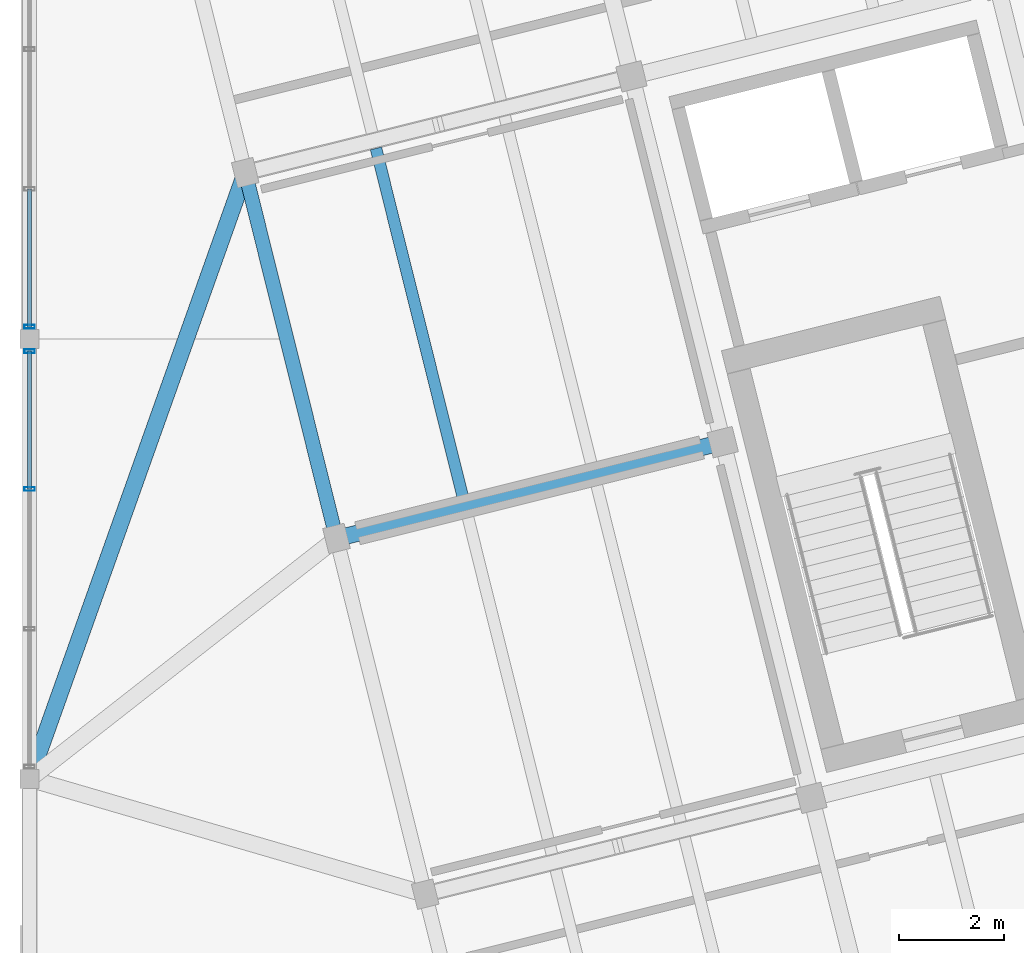
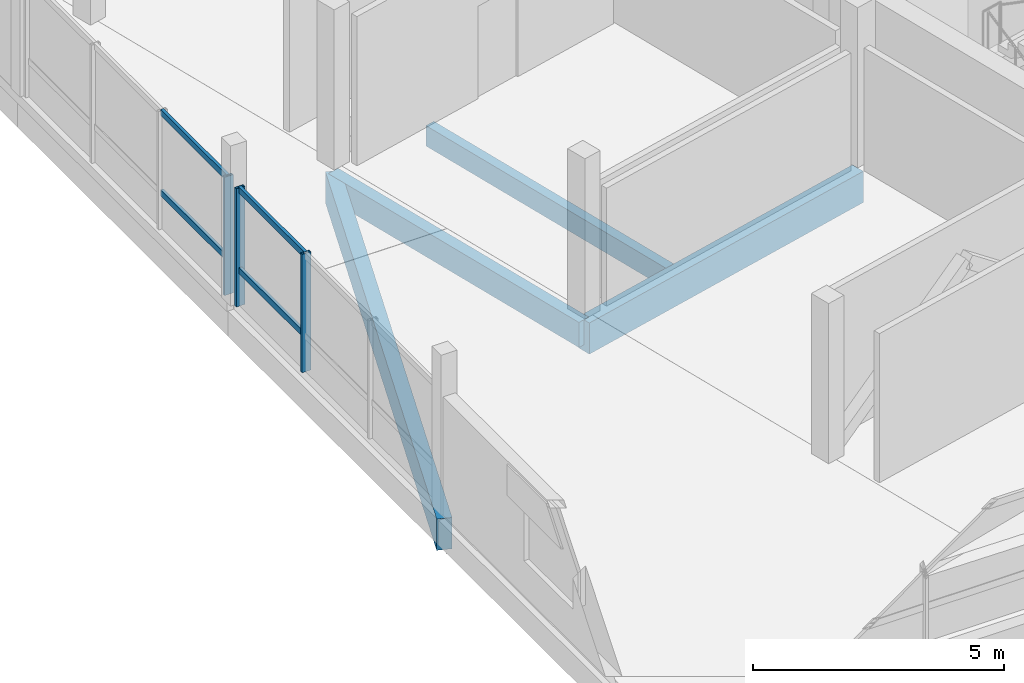
# One storey, part 13 of 39: 7 members, 4 beams, 2 elements without a shape of their own.
"""IFC4 building model written with IfcOpenShell, lengths in metres."""

import ifcopenshell
import ifcopenshell.guid

model = None  # the IFC model being written
_history = None  # IfcOwnerHistory: only IFC2X3 demands one
_inside = {}  # id of a spatial element -> (the spatial element, [elements in it])
_under = {}  # id of a project, library or spatial element -> (it, [spatial elements below it])
_declared = {}  # id of a project -> (the project, [libraries it declares])
_typed = {}  # id of a type object -> (the type object, [elements of that type])
_made_of = {}  # id of a material, layer set ... -> (it, [elements and type objects made of it])


def new_model(schema):
    """Start an empty IFC model of exactly this schema.

    Asked for "IFC4X3", IfcOpenShell would pick the latest addendum, in which some entities
    have other attributes; the version numbers below select the first issue.
    IFC2X3 requires an IfcOwnerHistory on every rooted entity: one is made here for all.
    """
    global model, _history
    if schema == "IFC4X3":
        model = ifcopenshell.file(schema_version=(4, 3, 0, 0))
    else:
        model = ifcopenshell.file(schema=schema)
    _inside.clear()
    _under.clear()
    _declared.clear()
    _typed.clear()
    _made_of.clear()
    _history = None
    if model.schema == "IFC2X3":
        org = make("IfcOrganization", Name="unknown")
        user = make(
            "IfcPersonAndOrganization",
            ThePerson=make("IfcPerson", FamilyName="unknown"),
            TheOrganization=org,
        )
        app = make(
            "IfcApplication",
            ApplicationDeveloper=org,
            Version="unknown",
            ApplicationFullName="unknown",
            ApplicationIdentifier="unknown",
        )
        _history = make(
            "IfcOwnerHistory",
            OwningUser=user,
            OwningApplication=app,
            ChangeAction="ADDED",
            CreationDate=0,
        )
    return model


def make(cls, **values):
    """One entity of the class cls with the attributes given. An attribute that is None is left unset."""
    return model.create_entity(
        cls, **{name: value for name, value in values.items() if value is not None}
    )


def rooted(cls, **values):
    """An entity with a GlobalId (a new one), such as an element, a storey or a relation."""
    return make(cls, GlobalId=ifcopenshell.guid.new(), OwnerHistory=_history, **values)


def si_unit(unit_type, name, prefix=None):
    """IfcSIUnit, for example si_unit("LENGTHUNIT", "METRE", prefix="MILLI")."""
    return make("IfcSIUnit", UnitType=unit_type, Prefix=prefix, Name=name)


def assignment(units):
    """IfcUnitAssignment: the units of a project."""
    return None if units is None else make("IfcUnitAssignment", Units=units)


def point(xyz):
    """IfcCartesianPoint."""
    return None if xyz is None else make("IfcCartesianPoint", Coordinates=xyz)


def direction(xyz):
    """IfcDirection."""
    return None if xyz is None else make("IfcDirection", DirectionRatios=xyz)


def frame(location, z_axis=None, x_axis=None):
    """IfcAxis2Placement3D, a coordinate frame: its origin and axes. An axis left out is left unset."""
    return make(
        "IfcAxis2Placement3D",
        Location=point(location),
        Axis=direction(z_axis),
        RefDirection=direction(x_axis),
    )


def frame_2d(location, x_axis=None):
    """IfcAxis2Placement2D, a coordinate frame in the plane: its origin and x axis."""
    return make(
        "IfcAxis2Placement2D", Location=point(location), RefDirection=direction(x_axis)
    )


def origin():
    """The frame at (0, 0, 0) with its axes left unset."""
    return frame((0.0, 0.0, 0.0))


def origin_2d():
    """The frame at (0, 0) in the plane with its x axis left unset."""
    return frame_2d((0.0, 0.0))


def place(relative_to, where):
    """IfcLocalPlacement: puts the frame where relative to a parent placement (None: the world)."""
    return make(
        "IfcLocalPlacement", PlacementRelTo=relative_to, RelativePlacement=where
    )


def context(
    kind, dimensions, precision=None, world=None, true_north=None, identifier=None
):
    """IfcGeometricRepresentationContext, for example the 3D "Model" context."""
    return make(
        "IfcGeometricRepresentationContext",
        ContextIdentifier=identifier,
        ContextType=kind,
        CoordinateSpaceDimension=dimensions,
        Precision=precision,
        WorldCoordinateSystem=world,
        TrueNorth=true_north,
    )


def subcontext(parent, identifier, kind, view, scale=None):
    """IfcGeometricRepresentationSubContext, for example "Body" below "Model"."""
    return make(
        "IfcGeometricRepresentationSubContext",
        ContextIdentifier=identifier,
        ContextType=kind,
        ParentContext=parent,
        TargetScale=scale,
        TargetView=view,
    )


def project(units=None, contexts=None):
    """IfcProject with its units and contexts."""
    return rooted(
        "IfcProject",
        Name="project",
        RepresentationContexts=contexts,
        UnitsInContext=assignment(units),
    )


def spatial(cls, under=None, at=None, **own):
    """A site, building, storey or space (cls), placed at a placement, below another one or the project."""
    s = rooted(cls, ObjectPlacement=at, **own)
    if under is not None:
        _under.setdefault(under.id(), (under, []))[1].append(s)
    return s


def profile(cls, at=None, kind="AREA", **sizes):
    """A parametric profile (cls). Its sizes go by their IFC names, for example OverallWidth=200.0."""
    return make(cls, ProfileType=kind, Position=at, **sizes)


def rectangle(**sizes):
    """IfcRectangleProfileDef."""
    return profile("IfcRectangleProfileDef", **sizes)


def hollow_rectangle(**sizes):
    """IfcRectangleHollowProfileDef."""
    return profile("IfcRectangleHollowProfileDef", **sizes)


def extrude(swept, where, along, depth):
    """IfcExtrudedAreaSolid: the profile swept, set in the frame where, extruded along a direction by depth."""
    return make(
        "IfcExtrudedAreaSolid",
        SweptArea=swept,
        Position=where,
        ExtrudedDirection=direction(along),
        Depth=depth,
    )


def shape(context_of_items, identifier, shape_type, items):
    """IfcShapeRepresentation: the items that make up one representation, for example the "Body"."""
    return make(
        "IfcShapeRepresentation",
        ContextOfItems=context_of_items,
        RepresentationIdentifier=identifier,
        RepresentationType=shape_type,
        Items=items,
    )


def material(Name=None, Category=None):
    """IfcMaterial."""
    return make("IfcMaterial", Name=Name, Category=Category)


def layer(
    of_material, thickness, ventilated=None, Name=None, Category=None, Priority=None
):
    """IfcMaterialLayer: one layer of a wall or slab, of a material (None: an air gap)."""
    return make(
        "IfcMaterialLayer",
        Material=of_material,
        LayerThickness=thickness,
        IsVentilated=ventilated,
        Name=Name,
        Category=Category,
        Priority=Priority,
    )


def layer_set(layers, Name=None):
    """IfcMaterialLayerSet."""
    return make("IfcMaterialLayerSet", MaterialLayers=layers, LayerSetName=Name)


def material_profile(
    of_material, cross_section, Name=None, Category=None, Priority=None
):
    """IfcMaterialProfile: a cross section and its material."""
    return make(
        "IfcMaterialProfile",
        Name=Name,
        Material=of_material,
        Profile=cross_section,
        Priority=Priority,
        Category=Category,
    )


def profile_set(profiles, Name=None, composite=None):
    """IfcMaterialProfileSet."""
    return make(
        "IfcMaterialProfileSet",
        Name=Name,
        MaterialProfiles=profiles,
        CompositeProfile=composite,
    )


def made_of(thing, what):
    """Note that an element or type object is made of a material, layer set ...; save() writes the relation."""
    if what is not None:
        _made_of.setdefault(what.id(), (what, []))[1].append(thing)
    return thing


def type_object(cls, material=None, **own):
    """A type object (cls), such as IfcWallType, which elements share."""
    return made_of(rooted(cls, **own), material)


def element(
    cls,
    number,
    at=None,
    inside=None,
    cuts=None,
    type_object=None,
    material=None,
    context=None,
    identifier="Body",
    shape_type=None,
    held_by="IfcProductDefinitionShape",
    body=None,
    shapes=None,
    **own,
):
    """One element of the class cls, such as IfcWall. Its Tag is "e" and its number.

    at: its placement. inside: the storey or other place that contains it. cuts: it is an
    opening in that element (IfcRelVoidsElement). A single representation is given by context,
    identifier, shape_type and body (its items); several are given by shapes. held_by: the class
    of the entity that holds the representations. save() writes the other relations.
    """
    e = rooted(cls, Tag="e%d" % number, ObjectPlacement=at, **own)
    if body is not None:
        shapes = [shape(context, identifier, shape_type, body)]
    if shapes is not None:
        e.Representation = make(held_by, Representations=shapes)
    if inside is not None:
        _inside.setdefault(inside.id(), (inside, []))[1].append(e)
    if cuts is not None:
        rooted(
            "IfcRelVoidsElement", RelatingBuildingElement=cuts, RelatedOpeningElement=e
        )
    if type_object is not None:
        _typed.setdefault(type_object.id(), (type_object, []))[1].append(e)
    return made_of(e, material)


def aggregate(whole, parts):
    """IfcRelAggregates: a whole, such as a stair, and the parts it consists of."""
    return rooted("IfcRelAggregates", RelatingObject=whole, RelatedObjects=parts)


def save(model, path):
    """Write the relations noted so far, then the file.

    IfcRelAggregates (storeys below a building ...), IfcRelContainedInSpatialStructure (elements
    in a storey), IfcRelDefinesByType, IfcRelAssociatesMaterial and IfcRelDeclares: one each for
    every whole, place, type object, material and project.
    """
    for whole, parts in _under.values():
        aggregate(whole, parts)
    for where, things in _inside.values():
        rooted(
            "IfcRelContainedInSpatialStructure",
            RelatedElements=things,
            RelatingStructure=where,
        )
    for kind, things in _typed.values():
        rooted("IfcRelDefinesByType", RelatedObjects=things, RelatingType=kind)
    for what, things in _made_of.values():
        rooted("IfcRelAssociatesMaterial", RelatedObjects=things, RelatingMaterial=what)
    for by, libraries in _declared.values():
        rooted("IfcRelDeclares", RelatingContext=by, RelatedDefinitions=libraries)
    model.write(path)


model = new_model("IFC4")

# Units and contexts
model_context = context("Model", 3, precision=1e-05, world=origin(), true_north=direction((0.0, 1.0)))
body_context = subcontext(model_context, "Body", "Model", "MODEL_VIEW")
ifc_project = project(units=[si_unit("LENGTHUNIT", "METRE"), si_unit("AREAUNIT", "SQUARE_METRE"), si_unit("VOLUMEUNIT", "CUBIC_METRE"), si_unit("PLANEANGLEUNIT", "RADIAN"), si_unit("MASSUNIT", "GRAM", prefix="KILO")], contexts=[model_context])

# Site, building, storey
site_placement = place(None, origin())
site = spatial("IfcSite", under=ifc_project, at=site_placement, CompositionType="ELEMENT")
building_placement = place(site_placement, origin())
building = spatial("IfcBuilding", under=site, at=building_placement, Name="Meriwether Solvik Hall", CompositionType="ELEMENT")
storey_placement = place(building_placement, frame((0.0, 0.0, 22.199951171875)))
storey = spatial("IfcBuildingStorey", under=building, at=storey_placement, Name="L05", CompositionType="ELEMENT", Elevation=22.199951171875)

# Beams
ifc_material_1 = material(Name="Glulam Douglas-Fir 24F-V8 GL28h", Category="wood")
ifc_material_profile_1 = material_profile(ifc_material_1, rectangle(XDim=0.27294921875, YDim=0.610107421875, at=origin_2d()), Name="GLB-273X610")
ifc_profile_set_1 = profile_set([ifc_material_profile_1], Name="Glulam Douglas-Fir 24F-V8 GL28h")
beam_type_1 = type_object("IfcBeamType", Name="BM-GL-273X610", PredefinedType="SPANDREL", material=ifc_profile_set_1)
beam_1_placement = place(storey_placement, frame((65.261474609375, 54.590087890625, -0.550048828125), z_axis=(-0.241937193493, 0.970291911955, 0.0), x_axis=(-0.970291911955, -0.241937193493, 0.0)))
element("IfcBeam", 1, at=beam_1_placement, inside=storey, type_object=beam_type_1, Name="Tower Girder T1:TC-TD (L05)", PredefinedType="SPANDREL", context=body_context, shape_type="SweptSolid", body=[
    extrude(rectangle(XDim=0.27294921875, YDim=0.610107421875, at=origin_2d()), origin(), (0.0, 0.0, 1.0), 7.199951171875),
])
ifc_material_2 = material(Name="Glulam Douglas-Fir 24F-V8 GL28h", Category="wood")
ifc_material_profile_2 = material_profile(ifc_material_2, rectangle(XDim=0.31494140625, YDim=0.760009765625, at=origin_2d()), Name="GLB-315X760")
ifc_profile_set_2 = profile_set([ifc_material_profile_2], Name="Glulam Douglas-Fir 24F-V8 GL28h")
beam_type_2 = type_object("IfcBeamType", Name="BM-GL-315X760", PredefinedType="BEAM", material=ifc_profile_set_2)
beam_2_placement = place(storey_placement, frame((63.51953125, 61.576171875, -0.625), z_axis=(-0.335273852022, -0.942120716337, 0.0), x_axis=(0.942120716337, -0.335273852022, 0.0)))
element("IfcBeam", 2, at=beam_2_placement, inside=storey, type_object=beam_type_2, Name="Diaphragm Collector Girder T1/TD-7/F (L05)", PredefinedType="BEAM", context=body_context, shape_type="SweptSolid", body=[
    extrude(rectangle(XDim=0.31494140625, YDim=0.760009765625, at=origin_2d()), origin(), (0.0, 0.0, 1.0), 12.287353515625),
])
beam_3_placement = place(storey_placement, frame((65.261474609375, 54.590087890625, -0.625), z_axis=(0.970295366785, 0.241923337436, 0.0), x_axis=(-0.241923337436, 0.970295366785, 0.0)))
element("IfcBeam", 3, at=beam_3_placement, inside=storey, type_object=beam_type_2, Name="Tower Girder TC:T1-T2 (L05)", PredefinedType="BEAM", context=body_context, shape_type="SweptSolid", body=[
    extrude(rectangle(XDim=0.31494140625, YDim=0.760009765625, at=origin_2d()), origin(), (0.0, 0.0, 1.0), 7.60009765625),
])

# Curtain wall, members
ifc_material_3 = material(Name="Thermally Broken Anodised Aluminium 6063-T6 and Low-E Glass", Category="aluminium")
ifc_layer = layer(ifc_material_3, 0.179931640625)
ifc_layer_set = layer_set([ifc_layer], Name="Thermally Broken Anodised Aluminium 6063-T6 and Low-E Glass")
curtain_wall_type = type_object("IfcCurtainWallType", Name="CW-UNIT-E", PredefinedType="USERDEFINED", material=ifc_layer_set)
curtain_wall_1_placement = place(storey_placement, origin())
curtain_wall_1 = element("IfcCurtainWall", 4, at=curtain_wall_1_placement, inside=storey, type_object=curtain_wall_type, Name="Curtain Wall wing_Y7_6_13 (L05)", ObjectType="UNITISED CURTAIN WALL", PredefinedType="USERDEFINED")
ifc_material_4 = material(Name="Anodised Aluminium 6063-T6", Category="aluminium")
ifc_material_profile_3 = material_profile(ifc_material_4, hollow_rectangle(XDim=0.070068359375, YDim=0.199951171875, WallThickness=0.0048828125, at=origin_2d()), Name="CWM-70X200")
ifc_profile_set_3 = profile_set([ifc_material_profile_3], Name="Anodised Aluminium 6063-T6")
member_type_1 = type_object("IfcMemberType", Name="CW-MUL-70X200", PredefinedType="MULLION", material=ifc_profile_set_3)
member_1_placement = place(storey_placement, frame((59.39990234375, 55.53515625, 0.0), z_axis=(0.0, 0.0, 1.0), x_axis=(0.0, 1.0, 0.0)))
member_1 = element("IfcMember", 5, at=member_1_placement, type_object=member_type_1, Name="Curtain Wall Mullion 3", PredefinedType="MULLION", context=body_context, shape_type="SweptSolid", body=[
    extrude(hollow_rectangle(XDim=0.070068359375, YDim=0.199951171875, WallThickness=0.0048828125, at=origin_2d()), origin(), (0.0, 0.0, 1.0), 2.880126953125),
])
member_2_placement = place(storey_placement, frame((59.39990234375, 58.16748046875, 0.0), z_axis=(0.0, 0.0, 1.0), x_axis=(0.0, 1.0, 0.0)))
member_2 = element("IfcMember", 6, at=member_2_placement, type_object=member_type_1, Name="Curtain Wall Mullion 4", PredefinedType="MULLION", context=body_context, shape_type="SweptSolid", body=[
    extrude(hollow_rectangle(XDim=0.070068359375, YDim=0.199951171875, WallThickness=0.0048828125, at=origin_2d()), origin(), (0.0, 0.0, 1.0), 2.880126953125),
])

# Curtain wall, member
curtain_wall_2_placement = place(storey_placement, origin())
curtain_wall_2 = element("IfcCurtainWall", 7, at=curtain_wall_2_placement, inside=storey, type_object=curtain_wall_type, Name="Curtain Wall wing_Y7_7_14 (L05)", ObjectType="UNITISED CURTAIN WALL", PredefinedType="USERDEFINED")
member_3_placement = place(storey_placement, frame((59.39990234375, 58.632568359375, 0.0), z_axis=(0.0, 0.0, 1.0), x_axis=(0.0, 1.0, 0.0)))
member_3 = element("IfcMember", 8, at=member_3_placement, type_object=member_type_1, Name="Curtain Wall Mullion 1", PredefinedType="MULLION", context=body_context, shape_type="SweptSolid", body=[
    extrude(hollow_rectangle(XDim=0.070068359375, YDim=0.199951171875, WallThickness=0.0048828125, at=origin_2d()), origin(), (0.0, 0.0, 1.0), 2.880126953125),
])

# Member
ifc_material_5 = material(Name="Anodised Aluminium 6063-T6", Category="aluminium")
ifc_material_profile_4 = material_profile(ifc_material_5, hollow_rectangle(XDim=0.070068359375, YDim=0.14990234375, WallThickness=0.0048828125, at=origin_2d()), Name="CWT-70X150")
ifc_profile_set_4 = profile_set([ifc_material_profile_4], Name="Anodised Aluminium 6063-T6")
member_type_2 = type_object("IfcMemberType", Name="CW-TRN-70X150", PredefinedType="USERDEFINED", material=ifc_profile_set_4)
member_4_placement = place(storey_placement, frame((59.39990234375, 55.53515625, 0.864013671875), z_axis=(0.0, 1.0, 0.0), x_axis=(-1.0, 0.0, 0.0)))
member_4 = element("IfcMember", 9, at=member_4_placement, type_object=member_type_2, Name="Curtain Wall Transom 3-sill", ObjectType="TRANSOM", PredefinedType="USERDEFINED", context=body_context, shape_type="SweptSolid", body=[
    extrude(hollow_rectangle(XDim=0.070068359375, YDim=0.14990234375, WallThickness=0.0048828125, at=origin_2d()), origin(), (0.0, 0.0, 1.0), 2.63232421875),
])

member_5_placement = place(storey_placement, frame((59.39990234375, 55.53515625, 2.820068359375), z_axis=(0.0, 1.0, 0.0), x_axis=(-1.0, 0.0, 0.0)))
member_5 = element("IfcMember", 10, at=member_5_placement, type_object=member_type_2, Name="Curtain Wall Transom 3-head", ObjectType="TRANSOM", PredefinedType="USERDEFINED", context=body_context, shape_type="SweptSolid", body=[
    extrude(hollow_rectangle(XDim=0.070068359375, YDim=0.14990234375, WallThickness=0.0048828125, at=origin_2d()), origin(), (0.0, 0.0, 1.0), 2.63232421875),
])

aggregate(curtain_wall_1, [member_1, member_2, member_4, member_5])

member_6_placement = place(storey_placement, frame((59.39990234375, 58.632568359375, 0.864013671875), z_axis=(0.0, 1.0, 0.0), x_axis=(-1.0, 0.0, 0.0)))
member_6 = element("IfcMember", 11, at=member_6_placement, type_object=member_type_2, Name="Curtain Wall Transom 1-sill", ObjectType="TRANSOM", PredefinedType="USERDEFINED", context=body_context, shape_type="SweptSolid", body=[
    extrude(hollow_rectangle(XDim=0.070068359375, YDim=0.14990234375, WallThickness=0.0048828125, at=origin_2d()), origin(), (0.0, 0.0, 1.0), 2.63232421875),
])

member_7_placement = place(storey_placement, frame((59.39990234375, 58.632568359375, 2.820068359375), z_axis=(0.0, 1.0, 0.0), x_axis=(-1.0, 0.0, 0.0)))
member_7 = element("IfcMember", 12, at=member_7_placement, type_object=member_type_2, Name="Curtain Wall Transom 1-head", ObjectType="TRANSOM", PredefinedType="USERDEFINED", context=body_context, shape_type="SweptSolid", body=[
    extrude(hollow_rectangle(XDim=0.070068359375, YDim=0.14990234375, WallThickness=0.0048828125, at=origin_2d()), origin(), (0.0, 0.0, 1.0), 2.63232421875),
])

aggregate(curtain_wall_2, [member_3, member_6, member_7])

# Beam
ifc_material_6 = material(Name="Glulam Douglas-Fir 24F-V8 GL28h", Category="wood")
ifc_material_profile_5 = material_profile(ifc_material_6, rectangle(XDim=0.221923828125, YDim=0.4951171875, at=origin_2d()), Name="GLJ-222X495")
ifc_profile_set_5 = profile_set([ifc_material_profile_5], Name="Glulam Douglas-Fir 24F-V8 GL28h")
beam_type_3 = type_object("IfcBeamType", Name="JST-GL-222X495", PredefinedType="JOIST", material=ifc_profile_set_5)
beam_4_placement = place(storey_placement, frame((67.6826171875, 55.350830078125, -0.492431640625), z_axis=(-0.241910719241, 0.970298512787, 0.0), x_axis=(-0.970298512787, -0.241910719241, 0.0)))
element("IfcBeam", 13, at=beam_4_placement, inside=storey, type_object=beam_type_3, Name="Glulam Floor Joist T1/TC-J1 (L05)", PredefinedType="JOIST", context=body_context, shape_type="SweptSolid", body=[
    extrude(rectangle(XDim=0.221923828125, YDim=0.4951171875, at=origin_2d()), origin(), (0.0, 0.0, 1.0), 6.89501953125),
])

save(model, "model.ifc")
